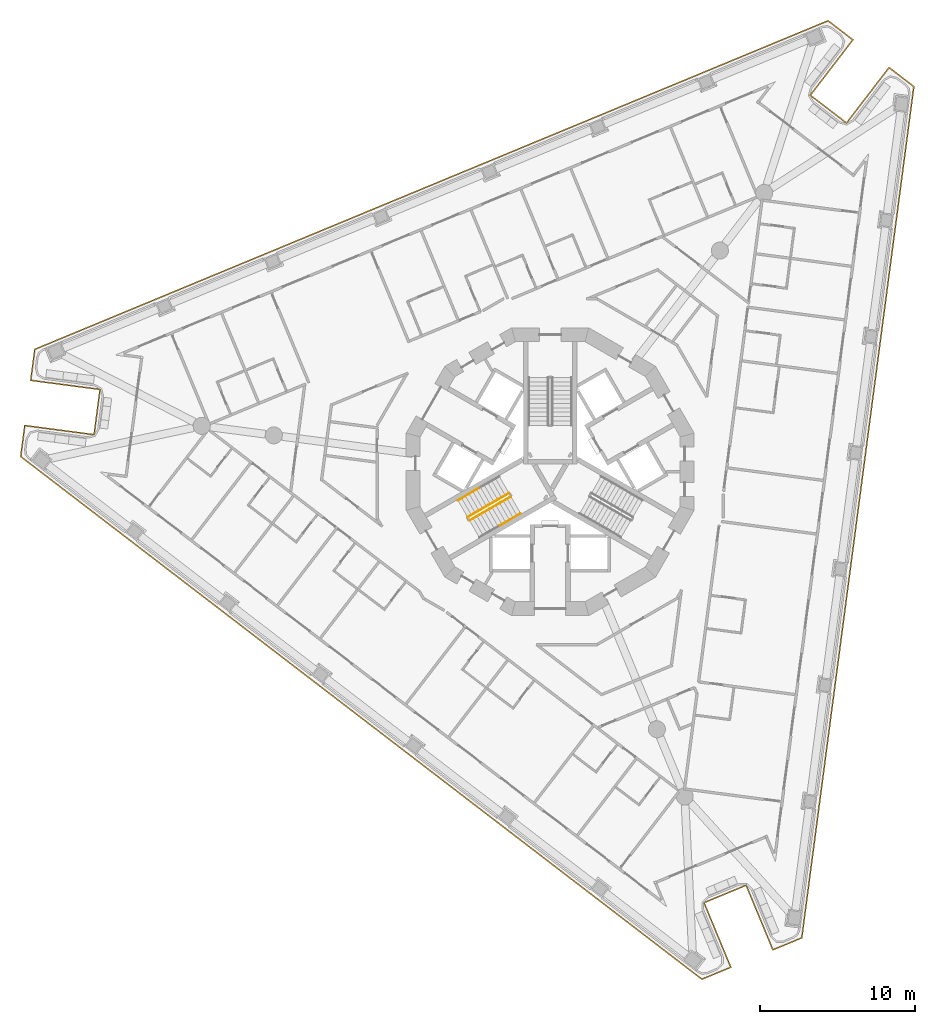
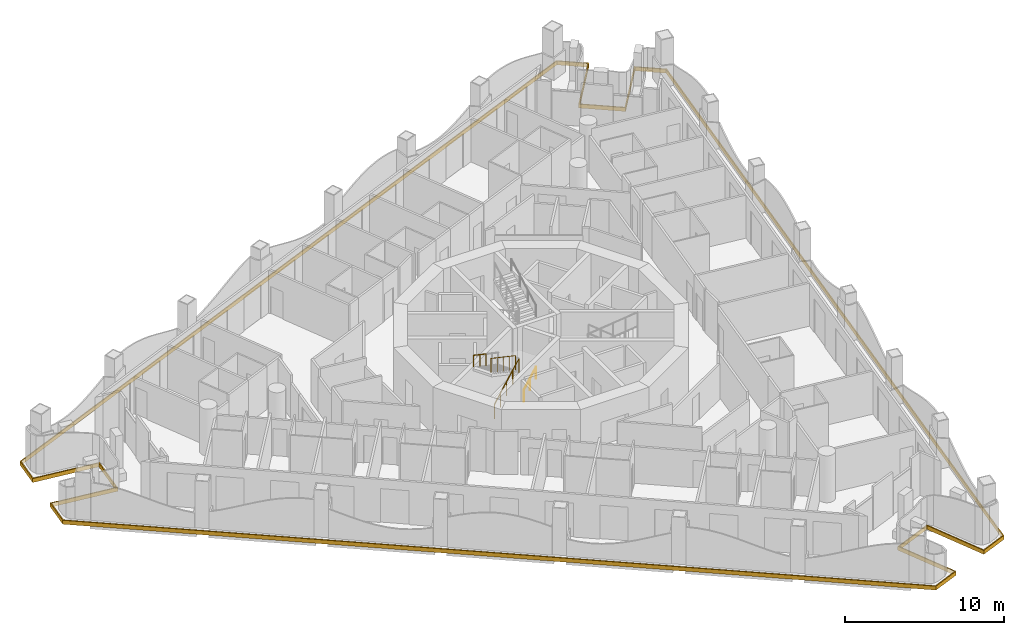
# One storey, part 12 of 17: 4 railings, 1 covering.
"""IFC4 building model written with IfcOpenShell, lengths in metres."""

from ifc_helpers import new_model, si_unit, direction, frame, origin, origin_2d, place, context, subcontext, project, spatial, polyline, circle, outline, extrude, material, layer, layer_set, type_object, element, save


model = new_model("IFC4")

# Units and contexts
model_context = context("Model", 3, precision=1e-05, world=origin(), true_north=direction((0.0, 1.0)))
body_context = subcontext(model_context, "Body", "Model", "MODEL_VIEW")
ifc_project = project(units=[si_unit("LENGTHUNIT", "METRE"), si_unit("AREAUNIT", "SQUARE_METRE"), si_unit("VOLUMEUNIT", "CUBIC_METRE"), si_unit("PLANEANGLEUNIT", "RADIAN"), si_unit("MASSUNIT", "GRAM", prefix="KILO")], contexts=[model_context])

# Site, building, storey
site_placement = place(None, origin())
site = spatial("IfcSite", under=ifc_project, at=site_placement, CompositionType="ELEMENT")
building_placement = place(site_placement, origin())
building = spatial("IfcBuilding", under=site, at=building_placement, Name="Trine Commons Tower", CompositionType="ELEMENT")
storey_placement = place(building_placement, frame((0.0, 0.0, 138.60009765625)))
storey = spatial("IfcBuildingStorey", under=building, at=storey_placement, Name="L35", CompositionType="ELEMENT", Elevation=138.60009765625)

# Covering
ifc_material_1 = material(Name="Limestone, honed", Category="masonry")
ifc_layer = layer(ifc_material_1, 0.074951171875)
ifc_layer_set = layer_set([ifc_layer], Name="Limestone, honed")
covering_type = type_object("IfcCoveringType", Name="Limestone spandrel panel 75", PredefinedType="CLADDING", material=ifc_layer_set)
covering_placement = place(storey_placement, frame((0.0, 0.0, -0.300048828125)))
element("IfcCovering", 1, at=covering_placement, inside=storey, type_object=covering_type, Name="Limestone spandrel panel 4-01", PredefinedType="CLADDING", context=body_context, shape_type="SweptSolid", body=[
    extrude(outline(polyline([(92.5986328125, 35.80810546875), (94.32080078125, 31.650634765625), (96.24462890625, 32.447509765625), (103.46923828125, 87.32421875), (101.817138671875, 88.591796875), (99.07763671875, 85.021728515625), (96.816650390625, 86.756591796875), (99.55615234375, 90.326904296875), (97.904052734375, 91.594482421875), (46.76708984375, 70.412841796875), (46.495361328125, 68.348388671875), (50.956787109375, 67.760986328125), (50.584716796875, 64.935302734375), (46.123291015625, 65.522705078125), (45.8515625, 63.4580078125), (89.763671875, 29.762939453125), (91.6875, 30.559814453125), (89.965576171875, 34.71728515625), (92.5986328125, 35.80810546875)]), holes=[polyline([(101.8310546875, 88.48681640625), (103.38916015625, 87.291015625), (96.17578125, 32.500244140625), (94.361328125, 31.74853515625), (92.63916015625, 35.906005859375), (89.867431640625, 34.758056640625), (91.589599609375, 30.6005859375), (89.77490234375, 29.848876953125), (45.931396484375, 63.4912109375), (46.187744140625, 65.4384765625), (50.6494140625, 64.85107421875), (51.041015625, 67.825439453125), (46.579345703125, 68.412841796875), (46.835693359375, 70.360107421875), (97.892578125, 91.508544921875), (99.450927734375, 90.31298828125), (96.71142578125, 86.742919921875), (99.091552734375, 84.91650390625), (101.8310546875, 88.48681640625)])]), origin(), (0.0, 0.0, 1.0), 0.300048828125),
])

# Railings
ifc_material_2 = material(Name="Stainless steel balustrade", Category="steel")
railing_type_1 = type_object("IfcRailingType", Name="Stair guard, steel balustrade 1100", PredefinedType="GUARDRAIL", material=ifc_material_2)
railing_1_placement = place(storey_placement, frame((74.80517578125, 59.3564453125, 0.14990234375)))
element("IfcRailing", 2, at=railing_1_placement, inside=storey, type_object=railing_type_1, Name="L35 ST2B stair guard 1", PredefinedType="GUARDRAIL", context=body_context, shape_type="SweptSolid", body=[
    extrude(circle(Radius=0.02392578125, at=origin_2d()), frame((0.0, 0.0, 1.076171875), z_axis=(0.76340495495, 0.440743040072, 0.472184759798), x_axis=(-0.499992328818, 0.866029832698, 0.0)), (0.0, 0.0, 1.0), 3.494140625),
    extrude(circle(Radius=0.02099609375, at=origin_2d()), origin(), (0.0, 0.0, 1.0), 1.052001953125),
    extrude(circle(Radius=0.02099609375, at=origin_2d()), frame((0.6669921875, 0.385009765625, 0.41259765625)), (0.0, 0.0, 1.0), 1.052001953125),
    extrude(circle(Radius=0.02099609375, at=origin_2d()), frame((1.333740234375, 0.77001953125, 0.824951171875)), (0.0, 0.0, 1.0), 1.052001953125),
    extrude(circle(Radius=0.02099609375, at=origin_2d()), frame((2.00048828125, 1.155029296875, 1.2373046875)), (0.0, 0.0, 1.0), 1.052001953125),
    extrude(circle(Radius=0.02099609375, at=origin_2d()), frame((2.66748046875, 1.5400390625, 1.64990234375)), (0.0, 0.0, 1.0), 1.052001953125),
])
railing_2_placement = place(storey_placement, frame((77.34765625, 61.113037109375, 1.949951171875)))
element("IfcRailing", 3, at=railing_2_placement, inside=storey, type_object=railing_type_1, Name="L35 ST2B stair guard 3", PredefinedType="GUARDRAIL", context=body_context, shape_type="SweptSolid", body=[
    extrude(circle(Radius=0.02392578125, at=origin_2d()), frame((0.0, 0.0, 1.076171875), z_axis=(-0.76340495495, -0.440743040072, 0.472184759798), x_axis=(0.499992328818, -0.866029832698, 0.0)), (0.0, 0.0, 1.0), 3.494140625),
    extrude(circle(Radius=0.02099609375, at=origin_2d()), origin(), (0.0, 0.0, 1.0), 1.052001953125),
    extrude(circle(Radius=0.02099609375, at=origin_2d()), frame((-0.6669921875, -0.385009765625, 0.41259765625)), (0.0, 0.0, 1.0), 1.052001953125),
    extrude(circle(Radius=0.02099609375, at=origin_2d()), frame((-1.333740234375, -0.77001953125, 0.824951171875)), (0.0, 0.0, 1.0), 1.052001953125),
    extrude(circle(Radius=0.02099609375, at=origin_2d()), frame((-2.00048828125, -1.155029296875, 1.2373046875)), (0.0, 0.0, 1.0), 1.052001953125),
    extrude(circle(Radius=0.02099609375, at=origin_2d()), frame((-2.66748046875, -1.5400390625, 1.64990234375)), (0.0, 0.0, 1.0), 1.052001953125),
])
ifc_material_3 = material(Name="Stainless steel handrail", Category="steel")
railing_type_2 = type_object("IfcRailingType", Name="Stair handrail, steel 900", PredefinedType="HANDRAIL", material=ifc_material_3)
railing_3_placement = place(storey_placement, frame((76.763916015625, 59.0439453125, 0.974853515625)))
element("IfcRailing", 4, at=railing_3_placement, inside=storey, type_object=railing_type_2, Name="L35 ST2B stair handrail 2", PredefinedType="HANDRAIL", context=body_context, shape_type="SweptSolid", body=[
    extrude(circle(Radius=0.02099609375, at=origin_2d()), frame((0.0, 0.0, 0.87890625), z_axis=(0.76340495495, 0.440743040072, 0.472184759798), x_axis=(-0.499992328818, 0.866029832698, 0.0)), (0.0, 0.0, 1.0), 1.7470703125),
    extrude(circle(Radius=0.01513671875, at=origin_2d()), origin(), (0.0, 0.0, 1.0), 0.85791015625),
    extrude(circle(Radius=0.01513671875, at=origin_2d()), frame((0.6669921875, 0.385009765625, 0.41259765625)), (0.0, 0.0, 1.0), 0.85791015625),
    extrude(circle(Radius=0.01513671875, at=origin_2d()), frame((1.333740234375, 0.77001953125, 0.824951171875)), (0.0, 0.0, 1.0), 0.85791015625),
])
railing_4_placement = place(storey_placement, frame((75.388916015625, 61.425537109375, 2.77490234375)))
element("IfcRailing", 5, at=railing_4_placement, inside=storey, type_object=railing_type_2, Name="L35 ST2B stair handrail 4", PredefinedType="HANDRAIL", context=body_context, shape_type="SweptSolid", body=[
    extrude(circle(Radius=0.02099609375, at=origin_2d()), frame((0.0, 0.0, 0.87890625), z_axis=(-0.76340495495, -0.440743040072, 0.472184759798), x_axis=(0.499992328818, -0.866029832698, 0.0)), (0.0, 0.0, 1.0), 1.7470703125),
    extrude(circle(Radius=0.01513671875, at=origin_2d()), origin(), (0.0, 0.0, 1.0), 0.85791015625),
    extrude(circle(Radius=0.01513671875, at=origin_2d()), frame((-0.6669921875, -0.385009765625, 0.41259765625)), (0.0, 0.0, 1.0), 0.85791015625),
    extrude(circle(Radius=0.01513671875, at=origin_2d()), frame((-1.333740234375, -0.77001953125, 0.824951171875)), (0.0, 0.0, 1.0), 0.85791015625),
])

save(model, "model.ifc")
